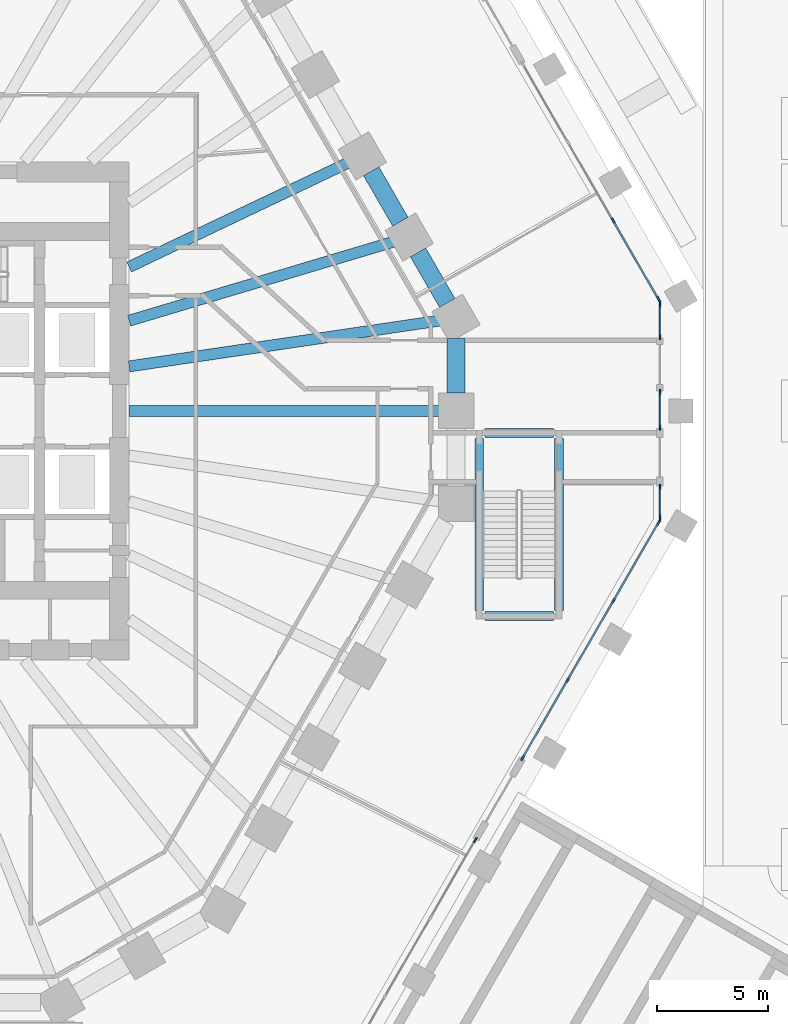
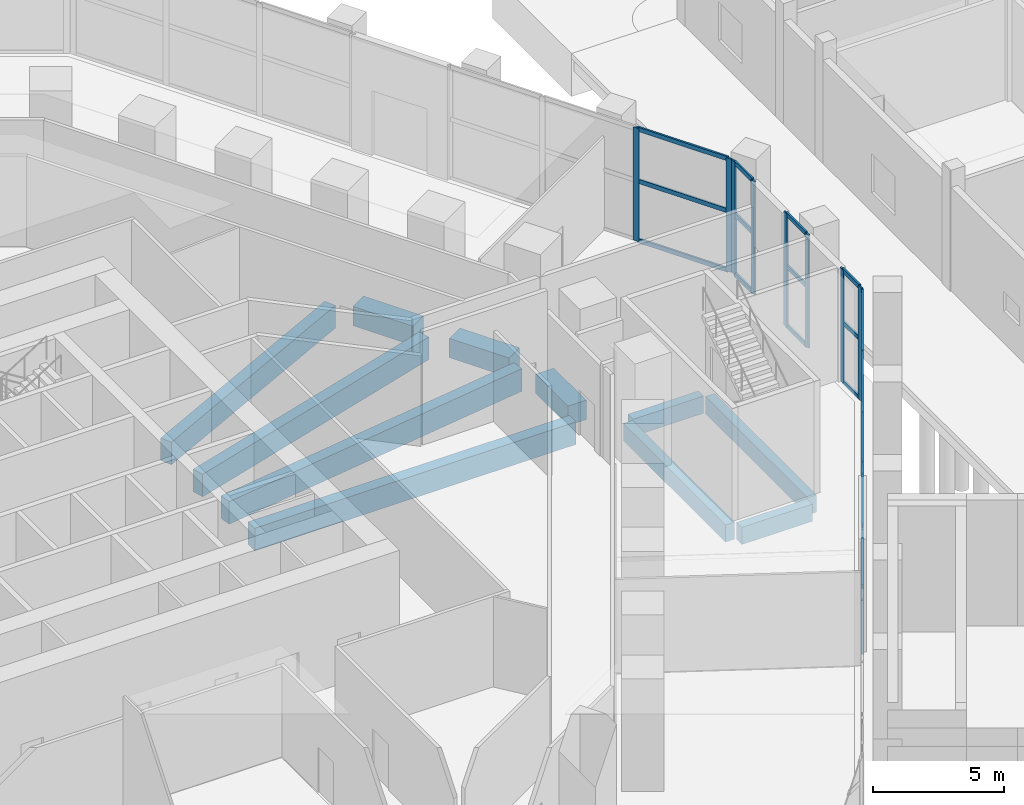
# One storey, part 7 of 44: 34 members, 11 beams, 6 elements without a shape of their own.
"""IFC4 building model written with IfcOpenShell, lengths in metres."""

from ifc_helpers import new_model, si_unit, direction, frame, origin, origin_2d, place, context, subcontext, project, spatial, rectangle, extrude, material, material_profile, profile_set, type_object, element, aggregate, save


model = new_model("IFC4")

# Units and contexts
model_context = context("Model", 3, precision=1e-05, world=origin(), true_north=direction((0.0, 1.0)))
body_context = subcontext(model_context, "Body", "Model", "MODEL_VIEW")
ifc_project = project(units=[si_unit("LENGTHUNIT", "METRE"), si_unit("AREAUNIT", "SQUARE_METRE"), si_unit("VOLUMEUNIT", "CUBIC_METRE"), si_unit("PLANEANGLEUNIT", "RADIAN"), si_unit("MASSUNIT", "GRAM", prefix="KILO")], contexts=[model_context])

# Site, building, storey
site_placement = place(None, origin())
site = spatial("IfcSite", under=ifc_project, at=site_placement, CompositionType="ELEMENT")
building_placement = place(site_placement, origin())
building = spatial("IfcBuilding", under=site, at=building_placement, Name="Frailejon Research Tower", CompositionType="ELEMENT")
storey_placement = place(building_placement, origin())
storey = spatial("IfcBuildingStorey", under=building, at=storey_placement, Name="L00", CompositionType="ELEMENT", Elevation=0.0)

# Beams
ifc_material_1 = material(Name="Concrete C60/75", Category="concrete")
ifc_material_profile_1 = material_profile(ifc_material_1, rectangle(XDim=0.5, YDim=1.050048828125, at=origin_2d()), Name="Girder 500x1050")
ifc_profile_set_1 = profile_set([ifc_material_profile_1], Name="Concrete C60/75")
beam_type_1 = type_object("IfcBeamType", Name="Girder 500x1050", PredefinedType="BEAM", material=ifc_profile_set_1)
beam_1_placement = place(storey_placement, frame((27.7626953125, 0.0, -0.875), z_axis=(-1.0, 0.0, 0.0), x_axis=(0.0, -1.0, 0.0)))
element("IfcBeam", 1, at=beam_1_placement, inside=storey, type_object=beam_type_1, Name="Girder 500x1050", PredefinedType="BEAM", context=body_context, shape_type="SweptSolid", body=[
    extrude(rectangle(XDim=0.5, YDim=1.050048828125, at=origin_2d()), origin(), (0.0, 0.0, 1.0), 14.11279296875),
])
beam_2_placement = place(storey_placement, frame((27.7099609375, 4.083984375, -0.875), z_axis=(-0.989312392522, -0.145811487893, 0.0), x_axis=(0.145811487893, -0.989312392522, 0.0)))
element("IfcBeam", 2, at=beam_2_placement, inside=storey, type_object=beam_type_1, Name="Girder 500x1050", PredefinedType="BEAM", context=body_context, shape_type="SweptSolid", body=[
    extrude(rectangle(XDim=0.5, YDim=1.050048828125, at=origin_2d()), origin(), (0.0, 0.0, 1.0), 14.2119140625),
])
beam_3_placement = place(storey_placement, frame((25.652587890625, 7.66015625, -0.875), z_axis=(-0.958189747387, -0.286133549242, 0.0), x_axis=(0.286133549242, -0.958189747387, 0.0)))
element("IfcBeam", 3, at=beam_3_placement, inside=storey, type_object=beam_type_1, Name="Girder 500x1050", PredefinedType="BEAM", context=body_context, shape_type="SweptSolid", body=[
    extrude(rectangle(XDim=0.5, YDim=1.050048828125, at=origin_2d()), origin(), (0.0, 0.0, 1.0), 12.5263671875),
])
beam_4_placement = place(storey_placement, frame((23.591796875, 11.23681640625, -0.875), z_axis=(-0.902829780982, -0.429998123917, 0.0), x_axis=(0.429998123917, -0.902829780982, 0.0)))
element("IfcBeam", 4, at=beam_4_placement, inside=storey, type_object=beam_type_1, Name="Girder 500x1050", PredefinedType="BEAM", context=body_context, shape_type="SweptSolid", body=[
    extrude(rectangle(XDim=0.5, YDim=1.050048828125, at=origin_2d()), origin(), (0.0, 0.0, 1.0), 11.011962890625),
])

# Curtain wall, members
ifc_material_2 = material(Name="Aluminium curtain wall", Category="aluminium")
curtain_wall_type = type_object("IfcCurtainWallType", Name="Lobby atrium curtain wall system", PredefinedType="NOTDEFINED", material=ifc_material_2)
curtain_wall_1_placement = place(storey_placement, origin())
curtain_wall_1 = element("IfcCurtainWall", 5, at=curtain_wall_1_placement, inside=storey, type_object=curtain_wall_type, Name="Curtain wall L00", PredefinedType="NOTDEFINED")
ifc_material_3 = material(Name="Aluminium extrusion", Category="aluminium")
ifc_material_profile_2 = material_profile(ifc_material_3, rectangle(XDim=0.080078125, YDim=0.25, at=origin_2d()), Name="Lobby atrium curtain wall mullion 80x250")
ifc_profile_set_2 = profile_set([ifc_material_profile_2], Name="Aluminium extrusion")
member_type_1 = type_object("IfcMemberType", Name="Lobby atrium curtain wall mullion 80x250", PredefinedType="MULLION", material=ifc_profile_set_2)
member_1_placement = place(storey_placement, frame((37.619140625, -4.801513671875, 0.0), z_axis=(0.0, 0.0, 1.0), x_axis=(-1.0, 0.0, 0.0)))
member_1 = element("IfcMember", 6, at=member_1_placement, type_object=member_type_1, Name="CW1-001 mullion 1", PredefinedType="MULLION", context=body_context, shape_type="SweptSolid", body=[
    extrude(rectangle(XDim=0.080078125, YDim=0.25, at=origin_2d()), origin(), (0.0, 0.0, 1.0), 5.25),
])
member_2_placement = place(storey_placement, frame((37.619140625, -3.433837890625, 0.0), z_axis=(0.0, 0.0, 1.0), x_axis=(-1.0, 0.0, 0.0)))
member_2 = element("IfcMember", 7, at=member_2_placement, type_object=member_type_1, Name="CW1-001 mullion 2", PredefinedType="MULLION", context=body_context, shape_type="SweptSolid", body=[
    extrude(rectangle(XDim=0.080078125, YDim=0.25, at=origin_2d()), origin(), (0.0, 0.0, 1.0), 5.25),
])

curtain_wall_2_placement = place(storey_placement, origin())
curtain_wall_2 = element("IfcCurtainWall", 8, at=curtain_wall_2_placement, inside=storey, type_object=curtain_wall_type, Name="Curtain wall L00", PredefinedType="NOTDEFINED")
member_3_placement = place(storey_placement, frame((37.619140625, -0.75390625, 0.0), z_axis=(0.0, 0.0, 1.0), x_axis=(-1.0, 0.0, 0.0)))
member_3 = element("IfcMember", 9, at=member_3_placement, type_object=member_type_1, Name="CW1-X01 mullion 1", PredefinedType="MULLION", context=body_context, shape_type="SweptSolid", body=[
    extrude(rectangle(XDim=0.080078125, YDim=0.25, at=origin_2d()), origin(), (0.0, 0.0, 1.0), 5.25),
])
member_4_placement = place(storey_placement, frame((37.619140625, 0.860107421875, 0.0), z_axis=(0.0, 0.0, 1.0), x_axis=(-1.0, 0.0, 0.0)))
member_4 = element("IfcMember", 10, at=member_4_placement, type_object=member_type_1, Name="CW1-X01 mullion 2", PredefinedType="MULLION", context=body_context, shape_type="SweptSolid", body=[
    extrude(rectangle(XDim=0.080078125, YDim=0.25, at=origin_2d()), origin(), (0.0, 0.0, 1.0), 5.25),
])

curtain_wall_3_placement = place(storey_placement, origin())
curtain_wall_3 = element("IfcCurtainWall", 11, at=curtain_wall_3_placement, inside=storey, type_object=curtain_wall_type, Name="Curtain wall L00", PredefinedType="NOTDEFINED")
member_5_placement = place(storey_placement, frame((37.619140625, 3.340087890625, 0.0), z_axis=(0.0, 0.0, 1.0), x_axis=(-1.0, 0.0, 0.0)))
member_5 = element("IfcMember", 12, at=member_5_placement, type_object=member_type_1, Name="CW1-002 mullion 1", PredefinedType="MULLION", context=body_context, shape_type="SweptSolid", body=[
    extrude(rectangle(XDim=0.080078125, YDim=0.25, at=origin_2d()), origin(), (0.0, 0.0, 1.0), 5.25),
])
member_6_placement = place(storey_placement, frame((37.619140625, 4.801513671875, 0.0), z_axis=(0.0, 0.0, 1.0), x_axis=(-1.0, 0.0, 0.0)))
member_6 = element("IfcMember", 13, at=member_6_placement, type_object=member_type_1, Name="CW1-002 mullion 2", PredefinedType="MULLION", context=body_context, shape_type="SweptSolid", body=[
    extrude(rectangle(XDim=0.080078125, YDim=0.25, at=origin_2d()), origin(), (0.0, 0.0, 1.0), 5.25),
])

curtain_wall_4_placement = place(storey_placement, origin())
curtain_wall_4 = element("IfcCurtainWall", 14, at=curtain_wall_4_placement, inside=storey, type_object=curtain_wall_type, Name="Curtain wall L00", PredefinedType="NOTDEFINED")
member_7_placement = place(storey_placement, frame((37.54931640625, 5.062744140625, 0.0), z_axis=(0.0, 0.0, 1.0), x_axis=(-0.866025541081, -0.499999762196, 0.0)))
member_7 = element("IfcMember", 15, at=member_7_placement, type_object=member_type_1, Name="CW1-003 mullion 1", PredefinedType="MULLION", context=body_context, shape_type="SweptSolid", body=[
    extrude(rectangle(XDim=0.080078125, YDim=0.25, at=origin_2d()), origin(), (0.0, 0.0, 1.0), 5.25),
])
member_8_placement = place(storey_placement, frame((35.51416015625, 8.587646484375, 0.0), z_axis=(0.0, 0.0, 1.0), x_axis=(-0.866025541081, -0.499999762196, 0.0)))
member_8 = element("IfcMember", 16, at=member_8_placement, type_object=member_type_1, Name="CW1-003 mullion 2", PredefinedType="MULLION", context=body_context, shape_type="SweptSolid", body=[
    extrude(rectangle(XDim=0.080078125, YDim=0.25, at=origin_2d()), origin(), (0.0, 0.0, 1.0), 5.25),
])

# Curtain wall, member
curtain_wall_5_placement = place(storey_placement, origin())
curtain_wall_5 = element("IfcCurtainWall", 17, at=curtain_wall_5_placement, inside=storey, type_object=curtain_wall_type, Name="Curtain wall L00", PredefinedType="NOTDEFINED")
member_9_placement = place(storey_placement, frame((29.2841796875, -19.37841796875, 0.0), z_axis=(0.0, 0.0, 1.0), x_axis=(-0.866025541081, 0.499999762196, 0.0)))
member_9 = element("IfcMember", 18, at=member_9_placement, type_object=member_type_1, Name="CW1-019 mullion 4", PredefinedType="MULLION", context=body_context, shape_type="SweptSolid", body=[
    extrude(rectangle(XDim=0.080078125, YDim=0.25, at=origin_2d()), origin(), (0.0, 0.0, 1.0), 5.25),
])
aggregate(curtain_wall_5, [member_9])

# Curtain wall, members
curtain_wall_6_placement = place(storey_placement, origin())
curtain_wall_6 = element("IfcCurtainWall", 19, at=curtain_wall_6_placement, inside=storey, type_object=curtain_wall_type, Name="Curtain wall L00", PredefinedType="NOTDEFINED")
member_10_placement = place(storey_placement, frame((31.42431640625, -15.671630859375, 0.0), z_axis=(0.0, 0.0, 1.0), x_axis=(-0.866025541081, 0.499999762196, 0.0)))
member_10 = element("IfcMember", 20, at=member_10_placement, type_object=member_type_1, Name="CW1-020 mullion 1", PredefinedType="MULLION", context=body_context, shape_type="SweptSolid", body=[
    extrude(rectangle(XDim=0.080078125, YDim=0.25, at=origin_2d()), origin(), (0.0, 0.0, 1.0), 5.25),
])
member_11_placement = place(storey_placement, frame((33.459228515625, -12.14697265625, 0.0), z_axis=(0.0, 0.0, 1.0), x_axis=(-0.866025541081, 0.499999762196, 0.0)))
member_11 = element("IfcMember", 21, at=member_11_placement, type_object=member_type_1, Name="CW1-020 mullion 2", PredefinedType="MULLION", context=body_context, shape_type="SweptSolid", body=[
    extrude(rectangle(XDim=0.080078125, YDim=0.25, at=origin_2d()), origin(), (0.0, 0.0, 1.0), 5.25),
])
member_12_placement = place(storey_placement, frame((35.51416015625, -8.587646484375, 0.0), z_axis=(0.0, 0.0, 1.0), x_axis=(-0.866025541081, 0.499999762196, 0.0)))
member_12 = element("IfcMember", 22, at=member_12_placement, type_object=member_type_1, Name="CW1-020 mullion 3", PredefinedType="MULLION", context=body_context, shape_type="SweptSolid", body=[
    extrude(rectangle(XDim=0.080078125, YDim=0.25, at=origin_2d()), origin(), (0.0, 0.0, 1.0), 5.25),
])
member_13_placement = place(storey_placement, frame((37.54931640625, -5.062744140625, 0.0), z_axis=(0.0, 0.0, 1.0), x_axis=(-0.866025541081, 0.499999762196, 0.0)))
member_13 = element("IfcMember", 23, at=member_13_placement, type_object=member_type_1, Name="CW1-020 mullion 4", PredefinedType="MULLION", context=body_context, shape_type="SweptSolid", body=[
    extrude(rectangle(XDim=0.080078125, YDim=0.25, at=origin_2d()), origin(), (0.0, 0.0, 1.0), 5.25),
])

# Member
ifc_material_4 = material(Name="Aluminium extrusion", Category="aluminium")
ifc_material_profile_3 = material_profile(ifc_material_4, rectangle(XDim=0.080078125, YDim=0.199951171875, at=origin_2d()), Name="Lobby atrium curtain wall transom 80x200")
ifc_profile_set_3 = profile_set([ifc_material_profile_3], Name="Aluminium extrusion")
member_type_2 = type_object("IfcMemberType", Name="Lobby atrium curtain wall transom 80x200", PredefinedType="USERDEFINED", material=ifc_profile_set_3)
member_14_placement = place(storey_placement, frame((37.619140625, -4.76171875, 0.0400390625), z_axis=(0.0, 1.0, 0.0), x_axis=(-1.0, 0.0, 0.0)))
member_14 = element("IfcMember", 24, at=member_14_placement, type_object=member_type_2, Name="CW1-001 transom 1.1", ObjectType="TRANSOM", PredefinedType="USERDEFINED", context=body_context, shape_type="SweptSolid", body=[
    extrude(rectangle(XDim=0.080078125, YDim=0.199951171875, at=origin_2d()), origin(), (0.0, 0.0, 1.0), 1.287841796875),
])

member_15_placement = place(storey_placement, frame((37.619140625, -4.76171875, 2.800048828125), z_axis=(0.0, 1.0, 0.0), x_axis=(-1.0, 0.0, 0.0)))
member_15 = element("IfcMember", 25, at=member_15_placement, type_object=member_type_2, Name="CW1-001 transom 1.2", ObjectType="TRANSOM", PredefinedType="USERDEFINED", context=body_context, shape_type="SweptSolid", body=[
    extrude(rectangle(XDim=0.080078125, YDim=0.199951171875, at=origin_2d()), origin(), (0.0, 0.0, 1.0), 1.287841796875),
])

member_16_placement = place(storey_placement, frame((37.619140625, -4.76171875, 5.2099609375), z_axis=(0.0, 1.0, 0.0), x_axis=(-1.0, 0.0, 0.0)))
member_16 = element("IfcMember", 26, at=member_16_placement, type_object=member_type_2, Name="CW1-001 transom 1.3", ObjectType="TRANSOM", PredefinedType="USERDEFINED", context=body_context, shape_type="SweptSolid", body=[
    extrude(rectangle(XDim=0.080078125, YDim=0.199951171875, at=origin_2d()), origin(), (0.0, 0.0, 1.0), 1.287841796875),
])

aggregate(curtain_wall_1, [member_1, member_2, member_14, member_15, member_16])

member_17_placement = place(storey_placement, frame((37.619140625, -0.7138671875, 0.0400390625), z_axis=(0.0, 1.0, 0.0), x_axis=(-1.0, 0.0, 0.0)))
member_17 = element("IfcMember", 27, at=member_17_placement, type_object=member_type_2, Name="CW1-X01 transom 1.1", ObjectType="TRANSOM", PredefinedType="USERDEFINED", context=body_context, shape_type="SweptSolid", body=[
    extrude(rectangle(XDim=0.080078125, YDim=0.199951171875, at=origin_2d()), origin(), (0.0, 0.0, 1.0), 1.533935546875),
])

member_18_placement = place(storey_placement, frame((37.619140625, -0.7138671875, 2.800048828125), z_axis=(0.0, 1.0, 0.0), x_axis=(-1.0, 0.0, 0.0)))
member_18 = element("IfcMember", 28, at=member_18_placement, type_object=member_type_2, Name="CW1-X01 transom 1.2", ObjectType="TRANSOM", PredefinedType="USERDEFINED", context=body_context, shape_type="SweptSolid", body=[
    extrude(rectangle(XDim=0.080078125, YDim=0.199951171875, at=origin_2d()), origin(), (0.0, 0.0, 1.0), 1.533935546875),
])

member_19_placement = place(storey_placement, frame((37.619140625, -0.7138671875, 5.2099609375), z_axis=(0.0, 1.0, 0.0), x_axis=(-1.0, 0.0, 0.0)))
member_19 = element("IfcMember", 29, at=member_19_placement, type_object=member_type_2, Name="CW1-X01 transom 1.3", ObjectType="TRANSOM", PredefinedType="USERDEFINED", context=body_context, shape_type="SweptSolid", body=[
    extrude(rectangle(XDim=0.080078125, YDim=0.199951171875, at=origin_2d()), origin(), (0.0, 0.0, 1.0), 1.533935546875),
])

aggregate(curtain_wall_2, [member_3, member_4, member_17, member_18, member_19])

member_20_placement = place(storey_placement, frame((37.619140625, 3.3798828125, 0.0400390625), z_axis=(0.0, 1.0, 0.0), x_axis=(-1.0, 0.0, 0.0)))
member_20 = element("IfcMember", 30, at=member_20_placement, type_object=member_type_2, Name="CW1-002 transom 1.1", ObjectType="TRANSOM", PredefinedType="USERDEFINED", context=body_context, shape_type="SweptSolid", body=[
    extrude(rectangle(XDim=0.080078125, YDim=0.199951171875, at=origin_2d()), origin(), (0.0, 0.0, 1.0), 1.3818359375),
])

member_21_placement = place(storey_placement, frame((37.619140625, 3.3798828125, 2.800048828125), z_axis=(0.0, 1.0, 0.0), x_axis=(-1.0, 0.0, 0.0)))
member_21 = element("IfcMember", 31, at=member_21_placement, type_object=member_type_2, Name="CW1-002 transom 1.2", ObjectType="TRANSOM", PredefinedType="USERDEFINED", context=body_context, shape_type="SweptSolid", body=[
    extrude(rectangle(XDim=0.080078125, YDim=0.199951171875, at=origin_2d()), origin(), (0.0, 0.0, 1.0), 1.3818359375),
])

member_22_placement = place(storey_placement, frame((37.619140625, 3.3798828125, 5.2099609375), z_axis=(0.0, 1.0, 0.0), x_axis=(-1.0, 0.0, 0.0)))
member_22 = element("IfcMember", 32, at=member_22_placement, type_object=member_type_2, Name="CW1-002 transom 1.3", ObjectType="TRANSOM", PredefinedType="USERDEFINED", context=body_context, shape_type="SweptSolid", body=[
    extrude(rectangle(XDim=0.080078125, YDim=0.199951171875, at=origin_2d()), origin(), (0.0, 0.0, 1.0), 1.3818359375),
])

aggregate(curtain_wall_3, [member_5, member_6, member_20, member_21, member_22])

member_23_placement = place(storey_placement, frame((37.529296875, 5.097412109375, 0.0400390625), z_axis=(-0.500008456887, 0.866020521143, 0.0), x_axis=(-0.866020521143, -0.500008456887, 0.0)))
member_23 = element("IfcMember", 33, at=member_23_placement, type_object=member_type_2, Name="CW1-003 transom 1.1", ObjectType="TRANSOM", PredefinedType="USERDEFINED", context=body_context, shape_type="SweptSolid", body=[
    extrude(rectangle(XDim=0.080078125, YDim=0.199951171875, at=origin_2d()), origin(), (0.0, 0.0, 1.0), 3.990234375),
])

member_24_placement = place(storey_placement, frame((37.529296875, 5.097412109375, 2.800048828125), z_axis=(-0.500008456887, 0.866020521143, 0.0), x_axis=(-0.866020521143, -0.500008456887, 0.0)))
member_24 = element("IfcMember", 34, at=member_24_placement, type_object=member_type_2, Name="CW1-003 transom 1.2", ObjectType="TRANSOM", PredefinedType="USERDEFINED", context=body_context, shape_type="SweptSolid", body=[
    extrude(rectangle(XDim=0.080078125, YDim=0.199951171875, at=origin_2d()), origin(), (0.0, 0.0, 1.0), 3.990234375),
])

member_25_placement = place(storey_placement, frame((37.529296875, 5.097412109375, 5.2099609375), z_axis=(-0.500008456887, 0.866020521143, 0.0), x_axis=(-0.866020521143, -0.500008456887, 0.0)))
member_25 = element("IfcMember", 35, at=member_25_placement, type_object=member_type_2, Name="CW1-003 transom 1.3", ObjectType="TRANSOM", PredefinedType="USERDEFINED", context=body_context, shape_type="SweptSolid", body=[
    extrude(rectangle(XDim=0.080078125, YDim=0.199951171875, at=origin_2d()), origin(), (0.0, 0.0, 1.0), 3.990234375),
])

aggregate(curtain_wall_4, [member_7, member_8, member_23, member_24, member_25])

member_26_placement = place(storey_placement, frame((31.444091796875, -15.636962890625, 0.0400390625), z_axis=(0.500034952484, 0.866005223018, 0.0), x_axis=(-0.866005223018, 0.500034952484, 0.0)))
member_26 = element("IfcMember", 36, at=member_26_placement, type_object=member_type_2, Name="CW1-020 transom 1.1", ObjectType="TRANSOM", PredefinedType="USERDEFINED", context=body_context, shape_type="SweptSolid", body=[
    extrude(rectangle(XDim=0.080078125, YDim=0.199951171875, at=origin_2d()), origin(), (0.0, 0.0, 1.0), 3.989990234375),
])

member_27_placement = place(storey_placement, frame((31.444091796875, -15.636962890625, 2.800048828125), z_axis=(0.500034952484, 0.866005223018, 0.0), x_axis=(-0.866005223018, 0.500034952484, 0.0)))
member_27 = element("IfcMember", 37, at=member_27_placement, type_object=member_type_2, Name="CW1-020 transom 1.2", ObjectType="TRANSOM", PredefinedType="USERDEFINED", context=body_context, shape_type="SweptSolid", body=[
    extrude(rectangle(XDim=0.080078125, YDim=0.199951171875, at=origin_2d()), origin(), (0.0, 0.0, 1.0), 3.989990234375),
])

member_28_placement = place(storey_placement, frame((31.444091796875, -15.636962890625, 5.2099609375), z_axis=(0.500034952484, 0.866005223018, 0.0), x_axis=(-0.866005223018, 0.500034952484, 0.0)))
member_28 = element("IfcMember", 38, at=member_28_placement, type_object=member_type_2, Name="CW1-020 transom 1.3", ObjectType="TRANSOM", PredefinedType="USERDEFINED", context=body_context, shape_type="SweptSolid", body=[
    extrude(rectangle(XDim=0.080078125, YDim=0.199951171875, at=origin_2d()), origin(), (0.0, 0.0, 1.0), 3.989990234375),
])

member_29_placement = place(storey_placement, frame((33.479248046875, -12.1123046875, 0.0400390625), z_axis=(0.499989908473, 0.866031230052, 0.0), x_axis=(-0.866031230052, 0.499989908473, 0.0)))
member_29 = element("IfcMember", 39, at=member_29_placement, type_object=member_type_2, Name="CW1-020 transom 2.1", ObjectType="TRANSOM", PredefinedType="USERDEFINED", context=body_context, shape_type="SweptSolid", body=[
    extrude(rectangle(XDim=0.080078125, YDim=0.199951171875, at=origin_2d()), origin(), (0.0, 0.0, 1.0), 4.02978515625),
])

member_30_placement = place(storey_placement, frame((33.479248046875, -12.1123046875, 2.800048828125), z_axis=(0.499989908473, 0.866031230052, 0.0), x_axis=(-0.866031230052, 0.499989908473, 0.0)))
member_30 = element("IfcMember", 40, at=member_30_placement, type_object=member_type_2, Name="CW1-020 transom 2.2", ObjectType="TRANSOM", PredefinedType="USERDEFINED", context=body_context, shape_type="SweptSolid", body=[
    extrude(rectangle(XDim=0.080078125, YDim=0.199951171875, at=origin_2d()), origin(), (0.0, 0.0, 1.0), 4.02978515625),
])

member_31_placement = place(storey_placement, frame((33.479248046875, -12.1123046875, 5.2099609375), z_axis=(0.499989908473, 0.866031230052, 0.0), x_axis=(-0.866031230052, 0.499989908473, 0.0)))
member_31 = element("IfcMember", 41, at=member_31_placement, type_object=member_type_2, Name="CW1-020 transom 2.3", ObjectType="TRANSOM", PredefinedType="USERDEFINED", context=body_context, shape_type="SweptSolid", body=[
    extrude(rectangle(XDim=0.080078125, YDim=0.199951171875, at=origin_2d()), origin(), (0.0, 0.0, 1.0), 4.02978515625),
])

member_32_placement = place(storey_placement, frame((35.5341796875, -8.552978515625, 0.0400390625), z_axis=(0.500008456887, 0.866020521143, 0.0), x_axis=(-0.866020521143, 0.500008456887, 0.0)))
member_32 = element("IfcMember", 42, at=member_32_placement, type_object=member_type_2, Name="CW1-020 transom 3.1", ObjectType="TRANSOM", PredefinedType="USERDEFINED", context=body_context, shape_type="SweptSolid", body=[
    extrude(rectangle(XDim=0.080078125, YDim=0.199951171875, at=origin_2d()), origin(), (0.0, 0.0, 1.0), 3.990234375),
])

member_33_placement = place(storey_placement, frame((35.5341796875, -8.552978515625, 2.800048828125), z_axis=(0.500008456887, 0.866020521143, 0.0), x_axis=(-0.866020521143, 0.500008456887, 0.0)))
member_33 = element("IfcMember", 43, at=member_33_placement, type_object=member_type_2, Name="CW1-020 transom 3.2", ObjectType="TRANSOM", PredefinedType="USERDEFINED", context=body_context, shape_type="SweptSolid", body=[
    extrude(rectangle(XDim=0.080078125, YDim=0.199951171875, at=origin_2d()), origin(), (0.0, 0.0, 1.0), 3.990234375),
])

member_34_placement = place(storey_placement, frame((35.5341796875, -8.552978515625, 5.2099609375), z_axis=(0.500008456887, 0.866020521143, 0.0), x_axis=(-0.866020521143, 0.500008456887, 0.0)))
member_34 = element("IfcMember", 44, at=member_34_placement, type_object=member_type_2, Name="CW1-020 transom 3.3", ObjectType="TRANSOM", PredefinedType="USERDEFINED", context=body_context, shape_type="SweptSolid", body=[
    extrude(rectangle(XDim=0.080078125, YDim=0.199951171875, at=origin_2d()), origin(), (0.0, 0.0, 1.0), 3.990234375),
])

aggregate(curtain_wall_6, [member_10, member_11, member_12, member_13, member_26, member_27, member_28, member_29, member_30, member_31, member_32, member_33, member_34])

# Beams
ifc_material_5 = material(Name="Concrete C60/75", Category="concrete")
ifc_material_profile_4 = material_profile(ifc_material_5, rectangle(XDim=0.800048828125, YDim=0.89990234375, at=origin_2d()), Name="Podium ring beam")
ifc_profile_set_4 = profile_set([ifc_material_profile_4], Name="Concrete C60/75")
beam_type_2 = type_object("IfcBeamType", Name="Podium ring beam", PredefinedType="BEAM", material=ifc_profile_set_4)
beam_5_placement = place(storey_placement, frame((28.412841796875, 0.800048828125, -0.800048828125), z_axis=(0.0, 1.0, 0.0), x_axis=(-1.0, 0.0, 0.0)))
element("IfcBeam", 45, at=beam_5_placement, inside=storey, type_object=beam_type_2, Name="Podium ring beam", PredefinedType="BEAM", context=body_context, shape_type="SweptSolid", body=[
    extrude(rectangle(XDim=0.800048828125, YDim=0.89990234375, at=origin_2d()), origin(), (0.0, 0.0, 1.0), 2.4638671875),
])
for number, where, z_axis, x_axis, name in (
    (46, (28.0126953125, 4.88037109375, -0.800048828125), (-0.499990112884, 0.866031112038, 0.0), (-0.866031112038, -0.499990112884, 0.0), "Podium ring beam"),
    (47, (25.896728515625, 8.54541015625, -0.800048828125), (-0.499990112884, 0.866031112038, 0.0), (-0.866031112038, -0.499990112884, 0.0), "Podium ring beam"),
):
    element("IfcBeam", number, at=place(storey_placement, frame(where, z_axis=z_axis, x_axis=x_axis)), inside=storey, type_object=beam_type_2, Name=name, PredefinedType="BEAM", context=body_context, shape_type="SweptSolid", body=[
        extrude(rectangle(XDim=0.800048828125, YDim=0.89990234375, at=origin_2d()), origin(), (0.0, 0.0, 1.0), 2.6318359375),
    ])
ifc_material_6 = material(Name="Concrete C60/75", Category="concrete")
ifc_material_profile_5 = material_profile(ifc_material_6, rectangle(XDim=0.39990234375, YDim=0.800048828125, at=origin_2d()), Name="Stair box transfer beam 400x800")
ifc_profile_set_5 = profile_set([ifc_material_profile_5], Name="Concrete C60/75")
beam_type_3 = type_object("IfcBeamType", Name="Stair box transfer beam 400x800", PredefinedType="BEAM", material=ifc_profile_set_5)
beam_6_placement = place(storey_placement, frame((29.462890625, -1.243896484375, -0.75), z_axis=(0.0, -1.0, 0.0), x_axis=(1.0, 0.0, 0.0)))
element("IfcBeam", 48, at=beam_6_placement, inside=storey, type_object=beam_type_3, Name="PS5 box transfer beam 1", PredefinedType="BEAM", context=body_context, shape_type="SweptSolid", body=[
    extrude(rectangle(XDim=0.39990234375, YDim=0.800048828125, at=origin_2d()), origin(), (0.0, 0.0, 1.0), 7.77001953125),
])
beam_7_placement = place(storey_placement, frame((29.712890625, -9.263916015625, -0.75), z_axis=(1.0, 0.0, 0.0), x_axis=(0.0, 1.0, 0.0)))
element("IfcBeam", 49, at=beam_7_placement, inside=storey, type_object=beam_type_3, Name="PS5 box transfer beam 2", PredefinedType="BEAM", context=body_context, shape_type="SweptSolid", body=[
    extrude(rectangle(XDim=0.39990234375, YDim=0.800048828125, at=origin_2d()), origin(), (0.0, 0.0, 1.0), 3.099853515625),
])
beam_8_placement = place(storey_placement, frame((33.062744140625, -9.013916015625, -0.75), z_axis=(0.0, 1.0, 0.0), x_axis=(-1.0, 0.0, 0.0)))
element("IfcBeam", 50, at=beam_8_placement, inside=storey, type_object=beam_type_3, Name="PS5 box transfer beam 3", PredefinedType="BEAM", context=body_context, shape_type="SweptSolid", body=[
    extrude(rectangle(XDim=0.39990234375, YDim=0.800048828125, at=origin_2d()), origin(), (0.0, 0.0, 1.0), 7.77001953125),
])
beam_9_placement = place(storey_placement, frame((32.812744140625, -0.993896484375, -0.75), z_axis=(-1.0, 0.0, 0.0), x_axis=(0.0, -1.0, 0.0)))
element("IfcBeam", 51, at=beam_9_placement, inside=storey, type_object=beam_type_3, Name="PS5 box transfer beam 4", PredefinedType="BEAM", context=body_context, shape_type="SweptSolid", body=[
    extrude(rectangle(XDim=0.39990234375, YDim=0.800048828125, at=origin_2d()), origin(), (0.0, 0.0, 1.0), 3.099853515625),
])

save(model, "model.ifc")
